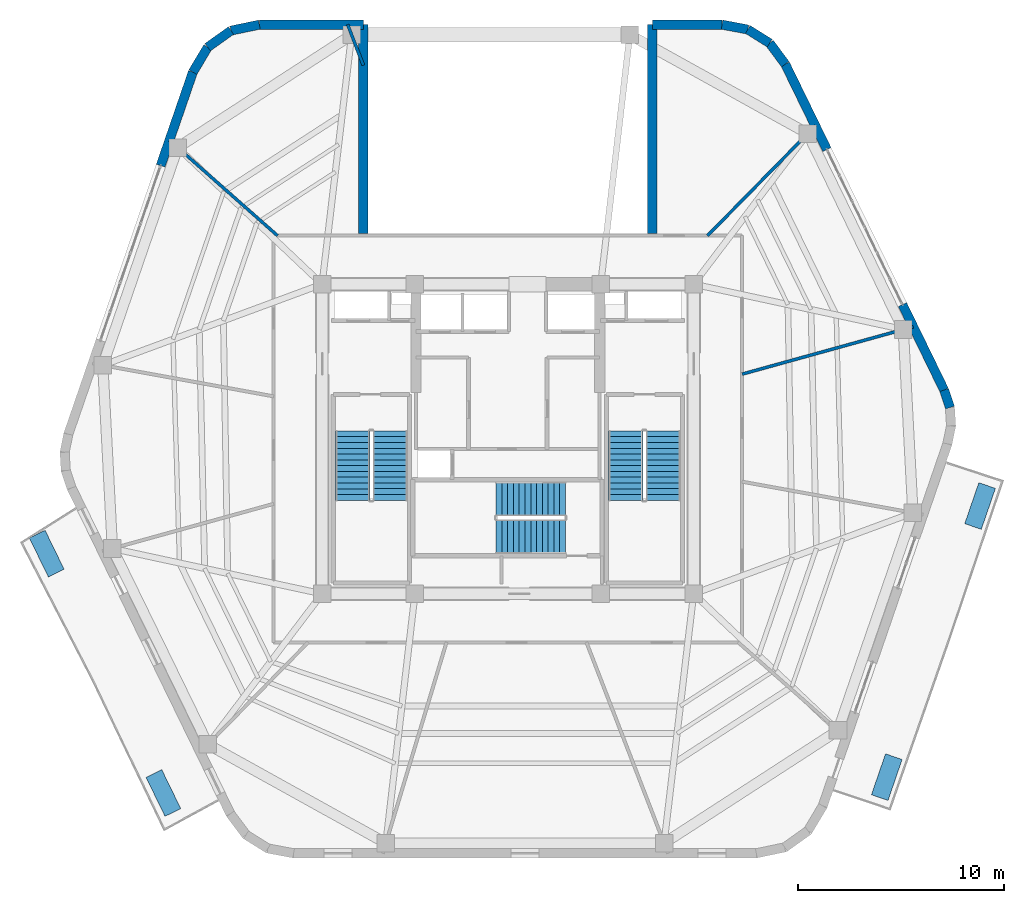
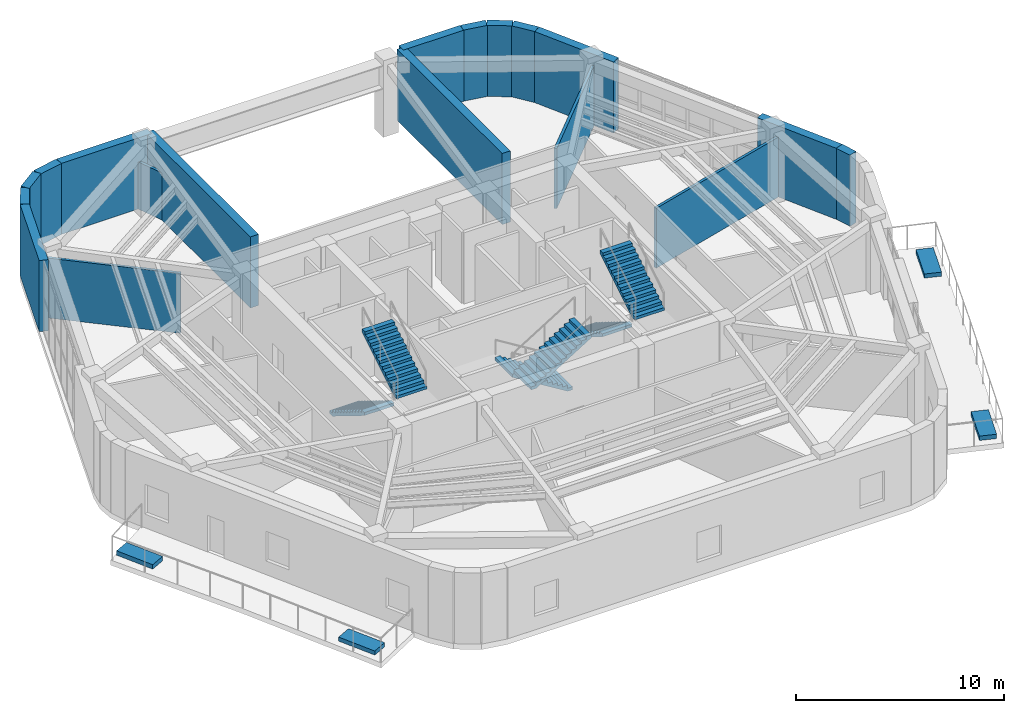
# One storey, part 13 of 15: 18 walls, 6 stair flights, 4 discrete accessories, 3 elements without a shape of their own.
"""IFC4 building model written with IfcOpenShell, lengths in metres."""

from ifc_helpers import new_model, si_unit, direction, frame, frame_2d, origin, origin_2d, place, context, subcontext, project, spatial, polyline, rectangle, outline, extrude, material, layer, layer_set, type_object, element, aggregate, save


model = new_model("IFC4")

# Units and contexts
model_context = context("Model", 3, precision=1e-05, world=origin(), true_north=direction((0.0, 1.0)))
body_context = subcontext(model_context, "Body", "Model", "MODEL_VIEW")
ifc_project = project(units=[si_unit("LENGTHUNIT", "METRE"), si_unit("AREAUNIT", "SQUARE_METRE"), si_unit("VOLUMEUNIT", "CUBIC_METRE"), si_unit("PLANEANGLEUNIT", "RADIAN"), si_unit("MASSUNIT", "GRAM", prefix="KILO")], contexts=[model_context])

# Site, building, storey
site_placement = place(None, origin())
site = spatial("IfcSite", under=ifc_project, at=site_placement, CompositionType="ELEMENT")
building_placement = place(site_placement, origin())
building = spatial("IfcBuilding", under=site, at=building_placement, Name="Kilnhurst Terrace Hotel", CompositionType="ELEMENT")
storey_placement = place(building_placement, frame((0.0, 0.0, 293.10009765625)))
storey = spatial("IfcBuildingStorey", under=building, at=storey_placement, Name="L73", CompositionType="ELEMENT", Elevation=293.10009765625)

# Walls
ifc_material_1 = material(Name="Precast concrete C40/50", Category="concrete")
ifc_layer_1 = layer(ifc_material_1, 0.449951171875, Name="Precast concrete C40/50")
ifc_layer_set_1 = layer_set([ifc_layer_1], Name="Precast concrete C40/50")
wall_type_1 = type_object("IfcWallType", Name="WL-BRK-450", PredefinedType="SOLIDWALL", material=ifc_layer_set_1)
wall_1_placement = place(storey_placement, frame((21.422119140625, 1.52197265625, 0.0), z_axis=(0.0, 0.0, 1.0), x_axis=(-0.316964162323, 0.94843751497, 0.0)))
element("IfcWall", 1, at=wall_1_placement, inside=storey, type_object=wall_type_1, Name="L73 Rounded Corner Brick Wall C3.3", PredefinedType="SOLIDWALL", context=body_context, shape_type="SweptSolid", body=[
    extrude(rectangle(XDim=0.89501953125, YDim=0.449951171875, at=frame_2d((0.447509765625, 0.0))), origin(), (0.0, 0.0, 1.0), 4.179931640625),
])
wall_2_placement = place(storey_placement, frame((13.44287109375, 18.159912109375, 0.0), z_axis=(0.0, 0.0, 1.0), x_axis=(-0.597042425808, 0.802209661987, 0.0)))
element("IfcWall", 2, at=wall_2_placement, inside=storey, type_object=wall_type_1, Name="L73 Rounded Corner Brick Wall C4.1", PredefinedType="SOLIDWALL", context=body_context, shape_type="SweptSolid", body=[
    extrude(rectangle(XDim=1.269775390625, YDim=0.449951171875, at=frame_2d((0.634765625, 0.0))), origin(), (0.0, 0.0, 1.0), 4.179931640625),
])
wall_3_placement = place(storey_placement, frame((12.684814453125, 19.178466796875, 0.0), z_axis=(0.0, 0.0, 1.0), x_axis=(-0.848031272749, 0.529946186362, 0.0)))
element("IfcWall", 3, at=wall_3_placement, inside=storey, type_object=wall_type_1, Name="L73 Rounded Corner Brick Wall C4.2", PredefinedType="SOLIDWALL", context=body_context, shape_type="SweptSolid", body=[
    extrude(rectangle(XDim=1.248046875, YDim=0.449951171875, at=frame_2d((0.6240234375, 0.0))), origin(), (0.0, 0.0, 1.0), 4.179931640625),
])
wall_4_placement = place(storey_placement, frame((11.62646484375, 19.83984375, 0.0), z_axis=(0.0, 0.0, 1.0), x_axis=(-0.982701956681, 0.185194126083, 0.0)))
element("IfcWall", 4, at=wall_4_placement, inside=storey, type_object=wall_type_1, Name="L73 Rounded Corner Brick Wall C4.3", PredefinedType="SOLIDWALL", context=body_context, shape_type="SweptSolid", body=[
    extrude(rectangle(XDim=1.26953125, YDim=0.449951171875, at=frame_2d((0.634765625, 0.0))), origin(), (0.0, 0.0, 1.0), 4.179931640625),
])
wall_5_placement = place(storey_placement, frame((-12.038330078125, 20.074951171875, 0.0), z_axis=(0.0, 0.0, 1.0), x_axis=(-0.978750122553, -0.205056571711, 0.0)))
element("IfcWall", 5, at=wall_5_placement, inside=storey, type_object=wall_type_1, Name="L73 Rounded Corner Brick Wall C5.1", PredefinedType="SOLIDWALL", context=body_context, shape_type="SweptSolid", body=[
    extrude(rectangle(XDim=1.406005859375, YDim=0.449951171875, at=frame_2d((0.703125, 0.0))), origin(), (0.0, 0.0, 1.0), 4.179931640625),
])
wall_6_placement = place(storey_placement, frame((-13.41455078125, 19.78662109375, 0.0), z_axis=(0.0, 0.0, 1.0), x_axis=(-0.814055493997, -0.580787097561, 0.0)))
element("IfcWall", 6, at=wall_6_placement, inside=storey, type_object=wall_type_1, Name="L73 Rounded Corner Brick Wall C5.2", PredefinedType="SOLIDWALL", context=body_context, shape_type="SweptSolid", body=[
    extrude(rectangle(XDim=1.382568359375, YDim=0.449951171875, at=frame_2d((0.69140625, 0.0))), origin(), (0.0, 0.0, 1.0), 4.179931640625),
])
wall_7_placement = place(storey_placement, frame((-14.5400390625, 18.983642578125, 0.0), z_axis=(0.0, 0.0, 1.0), x_axis=(-0.512374906623, -0.858761873317, 0.0)))
element("IfcWall", 7, at=wall_7_placement, inside=storey, type_object=wall_type_1, Name="L73 Rounded Corner Brick Wall C5.3", PredefinedType="SOLIDWALL", context=body_context, shape_type="SweptSolid", body=[
    extrude(rectangle(XDim=1.406005859375, YDim=0.449951171875, at=frame_2d((0.703125, 0.0))), origin(), (0.0, 0.0, 1.0), 4.179931640625),
])
wall_8_placement = place(storey_placement, frame((21.138427734375, 2.370849609375, 0.0), z_axis=(0.0, 0.0, 1.0), x_axis=(-0.438135313339, 0.898909031663, 0.0)))
element("IfcWall", 8, at=wall_8_placement, inside=storey, type_object=wall_type_1, Name="L73 Face 3 Brick Pier 1", PredefinedType="SOLIDWALL", context=body_context, shape_type="SweptSolid", body=[
    extrude(rectangle(XDim=4.60498046875, YDim=0.449951171875, at=frame_2d((2.302490234375, 0.0))), origin(), (0.0, 0.0, 1.0), 4.179931640625),
])
wall_9_placement = place(storey_placement, frame((15.45751953125, 14.026123046875, 0.0), z_axis=(0.0, 0.0, 1.0), x_axis=(-0.438101439155, 0.898925541416, 0.0)))
element("IfcWall", 9, at=wall_9_placement, inside=storey, type_object=wall_type_1, Name="L73 Face 3 End Brick Pier", PredefinedType="SOLIDWALL", context=body_context, shape_type="SweptSolid", body=[
    extrude(rectangle(XDim=4.5986328125, YDim=0.449951171875, at=frame_2d((2.29931640625, 0.0))), origin(), (0.0, 0.0, 1.0), 4.179931640625),
])
wall_10_placement = place(storey_placement, frame((10.37890625, 20.074951171875, 0.0), z_axis=(0.0, 0.0, 1.0), x_axis=(-1.0, 0.0, 0.0)))
element("IfcWall", 10, at=wall_10_placement, inside=storey, type_object=wall_type_1, Name="L73 North Portal East Brick Pier", PredefinedType="SOLIDWALL", context=body_context, shape_type="SweptSolid", body=[
    extrude(rectangle(XDim=3.37890625, YDim=0.449951171875, at=frame_2d((1.689453125, 0.0))), origin(), (0.0, 0.0, 1.0), 4.179931640625),
])
wall_11_placement = place(storey_placement, frame((-7.0, 20.074951171875, 0.0), z_axis=(0.0, 0.0, 1.0), x_axis=(-1.0, 0.0, 0.0)))
element("IfcWall", 11, at=wall_11_placement, inside=storey, type_object=wall_type_1, Name="L73 North Portal West Brick Pier", PredefinedType="SOLIDWALL", context=body_context, shape_type="SweptSolid", body=[
    extrude(rectangle(XDim=5.038330078125, YDim=0.449951171875, at=frame_2d((2.51904296875, 0.0))), origin(), (0.0, 0.0, 1.0), 4.179931640625),
])
for number, where, z_axis, x_axis, name in (
    (12, (-7.0, 9.949951171875, 0.0), (0.0, 0.0, 1.0), (0.0, 1.0, 0.0), "L73 Wind Portal West Brick Cheek Wall"),
    (13, (7.0, 9.949951171875, 0.0), (0.0, 0.0, 1.0), (0.0, 1.0, 0.0), "L73 Wind Portal East Brick Cheek Wall"),
):
    element("IfcWall", number, at=place(storey_placement, frame(where, z_axis=z_axis, x_axis=x_axis)), inside=storey, type_object=wall_type_1, Name=name, PredefinedType="SOLIDWALL", context=body_context, shape_type="SweptSolid", body=[
        extrude(rectangle(XDim=10.125, YDim=0.449951171875, at=frame_2d((5.0625, 0.0))), origin(), (0.0, 0.0, 1.0), 4.179931640625),
    ])
wall_12_placement = place(storey_placement, frame((-15.260498046875, 17.776123046875, 0.0), z_axis=(0.0, 0.0, 1.0), x_axis=(-0.325408461582, -0.945573547182, 0.0)))
element("IfcWall", 14, at=wall_12_placement, inside=storey, type_object=wall_type_1, Name="L73 Face 5 Brick Pier 1", PredefinedType="SOLIDWALL", context=body_context, shape_type="SweptSolid", body=[
    extrude(rectangle(XDim=4.794921875, YDim=0.449951171875, at=frame_2d((2.3974609375, 0.0))), origin(), (0.0, 0.0, 1.0), 4.179931640625),
])
ifc_material_2 = material(Name="150 mm Acoustic Gypsum Hospitality Partition")
ifc_layer_2 = layer(ifc_material_2, 0.14990234375, Name="150 mm Acoustic Gypsum Hospitality Partition")
ifc_layer_set_2 = layer_set([ifc_layer_2], Name="150 mm Acoustic Gypsum Hospitality Partition")
wall_type_2 = type_object("IfcWallType", Name="WL-PART-150", PredefinedType="PARTITIONING", material=ifc_layer_set_2)
wall_13_placement = place(storey_placement, frame((11.35009765625, 3.142822265625, 0.0), z_axis=(0.0, 0.0, 1.0), x_axis=(0.963731818141, 0.266872596386, 0.0)))
element("IfcWall", 15, at=wall_13_placement, inside=storey, type_object=wall_type_2, Name="L73 Interior Wall WL-L73-SCOL-01-1", PredefinedType="PARTITIONING", context=body_context, shape_type="SweptSolid", body=[
    extrude(rectangle(XDim=8.604736328125, YDim=0.14990234375, at=frame_2d((4.30224609375, 0.0))), origin(), (0.0, 0.0, 1.0), 3.52001953125),
])
wall_14_placement = place(storey_placement, frame((9.67236328125, 9.85009765625, 0.0), z_axis=(0.0, 0.0, 1.0), x_axis=(0.700629771301, 0.713524998558, 0.0)))
element("IfcWall", 16, at=wall_14_placement, inside=storey, type_object=wall_type_2, Name="L73 Interior Wall WL-L73-SCOL-02-1", PredefinedType="PARTITIONING", context=body_context, shape_type="SweptSolid", body=[
    extrude(rectangle(XDim=7.45947265625, YDim=0.14990234375, at=frame_2d((3.729736328125, 0.0))), origin(), (0.0, 0.0, 1.0), 3.52001953125),
])
wall_15_placement = place(storey_placement, frame((-7.0, 18.108154296875, 0.0), z_axis=(0.0, 0.0, 1.0), x_axis=(-0.360646535801, 0.932702565781, 0.0)))
element("IfcWall", 17, at=wall_15_placement, inside=storey, type_object=wall_type_2, Name="L73 Interior Wall WL-L73-SCOL-04-1", PredefinedType="PARTITIONING", context=body_context, shape_type="SweptSolid", body=[
    extrude(rectangle(XDim=2.108642578125, YDim=0.14990234375, at=frame_2d((1.05419921875, 0.0))), origin(), (0.0, 0.0, 1.0), 2.77001953125),
])
wall_16_placement = place(storey_placement, frame((-11.1572265625, 9.85009765625, 0.0), z_axis=(0.0, 0.0, 1.0), x_axis=(-0.74966962095, 0.661812253909, 0.0)))
element("IfcWall", 18, at=wall_16_placement, inside=storey, type_object=wall_type_2, Name="L73 Interior Wall WL-L73-SCOL-05-1", PredefinedType="PARTITIONING", context=body_context, shape_type="SweptSolid", body=[
    extrude(rectangle(XDim=6.98876953125, YDim=0.14990234375, at=frame_2d((3.494384765625, 0.0))), origin(), (0.0, 0.0, 1.0), 3.52001953125),
])

# Stair, stair flights
ifc_material_3 = material(Name="Concrete C50/60", Category="concrete")
stair_type = type_object("IfcStairType", Name="STR-CORE-1660", PredefinedType="HALF_TURN_STAIR", material=ifc_material_3)
stair_1_placement = place(storey_placement, origin())
stair_1 = element("IfcStair", 19, at=stair_1_placement, inside=storey, type_object=stair_type, Name="L73 ST-1", PredefinedType="HALF_TURN_STAIR")
stair_flight_type = type_object("IfcStairFlightType", Name="FLT-RC-1660", PredefinedType="STRAIGHT", material=ifc_material_3)
stair_flight_1_placement = place(storey_placement, frame((-7.52001953125, 0.389892578125, 0.0), z_axis=(0.0, 0.0, 1.0), x_axis=(0.0, -1.0, 0.0)))
stair_flight_1 = element("IfcStairFlight", 20, at=stair_flight_1_placement, type_object=stair_flight_type, Name="ST-1 flight 1", NumberOfRisers=13, NumberOfTreads=12, PredefinedType="STRAIGHT", RiserHeight=0.173076923, TreadLength=0.28, context=body_context, shape_type="SweptSolid", body=[
    extrude(outline(polyline([(0.0, 0.0), (0.0, 0.173095703125), (0.280029296875, 0.173095703125), (0.280029296875, 0.34619140625), (0.56005859375, 0.34619140625), (0.56005859375, 0.519287109375), (0.840087890625, 0.519287109375), (0.840087890625, 0.6923828125), (1.1201171875, 0.6923828125), (1.1201171875, 0.865478515625), (1.39990234375, 0.865478515625), (1.39990234375, 1.03857421875), (1.679931640625, 1.03857421875), (1.679931640625, 1.21142578125), (1.9599609375, 1.21142578125), (1.9599609375, 1.384521484375), (2.239990234375, 1.384521484375), (2.239990234375, 1.5576171875), (2.52001953125, 1.5576171875), (2.52001953125, 1.730712890625), (2.800048828125, 1.730712890625), (2.800048828125, 1.90380859375), (3.080078125, 1.90380859375), (3.080078125, 2.076904296875), (3.360107421875, 2.076904296875), (3.360107421875, 2.25), (3.360107421875, 1.900634765625), (0.28515625, 0.0), (0.0, 0.0)])), frame((0.0, 0.830078125, 0.0), z_axis=(0.0, -1.0, 0.0), x_axis=(1.0, 0.0, 0.0)), (0.0, 0.0, 1.0), 1.659912109375),
])
stair_flight_2_placement = place(storey_placement, frame((-5.7099609375, -2.969970703125, 2.25), z_axis=(0.0, 0.0, 1.0), x_axis=(0.0, 1.0, 0.0)))
stair_flight_2 = element("IfcStairFlight", 21, at=stair_flight_2_placement, type_object=stair_flight_type, Name="ST-1 flight 2", NumberOfRisers=13, NumberOfTreads=12, PredefinedType="STRAIGHT", RiserHeight=0.173076923, TreadLength=0.28, context=body_context, shape_type="SweptSolid", body=[
    extrude(outline(polyline([(0.0, 0.0), (0.0, 0.173095703125), (0.280029296875, 0.173095703125), (0.280029296875, 0.34619140625), (0.56005859375, 0.34619140625), (0.56005859375, 0.519287109375), (0.840087890625, 0.519287109375), (0.840087890625, 0.6923828125), (1.1201171875, 0.6923828125), (1.1201171875, 0.865478515625), (1.39990234375, 0.865478515625), (1.39990234375, 1.03857421875), (1.679931640625, 1.03857421875), (1.679931640625, 1.21142578125), (1.9599609375, 1.21142578125), (1.9599609375, 1.384521484375), (2.239990234375, 1.384521484375), (2.239990234375, 1.5576171875), (2.52001953125, 1.5576171875), (2.52001953125, 1.730712890625), (2.800048828125, 1.730712890625), (2.800048828125, 1.90380859375), (3.080078125, 1.90380859375), (3.080078125, 2.076904296875), (3.360107421875, 2.076904296875), (3.360107421875, 2.25), (3.360107421875, 1.900634765625), (0.28515625, 0.0), (0.0, 0.0)])), frame((0.0, 0.830078125, 0.0), z_axis=(0.0, -1.0, 0.0), x_axis=(1.0, 0.0, 0.0)), (0.0, 0.0, 1.0), 1.659912109375),
])
aggregate(stair_1, [stair_flight_1, stair_flight_2])

stair_2_placement = place(storey_placement, origin())
stair_2 = element("IfcStair", 22, at=stair_2_placement, inside=storey, type_object=stair_type, Name="L73 ST-2", PredefinedType="HALF_TURN_STAIR")
stair_flight_3_placement = place(storey_placement, frame((5.7099609375, 0.389892578125, 0.0), z_axis=(0.0, 0.0, 1.0), x_axis=(0.0, -1.0, 0.0)))
stair_flight_3 = element("IfcStairFlight", 23, at=stair_flight_3_placement, type_object=stair_flight_type, Name="ST-2 flight 1", NumberOfRisers=13, NumberOfTreads=12, PredefinedType="STRAIGHT", RiserHeight=0.173076923, TreadLength=0.28, context=body_context, shape_type="SweptSolid", body=[
    extrude(outline(polyline([(0.0, 0.0), (0.0, 0.173095703125), (0.280029296875, 0.173095703125), (0.280029296875, 0.34619140625), (0.56005859375, 0.34619140625), (0.56005859375, 0.519287109375), (0.840087890625, 0.519287109375), (0.840087890625, 0.6923828125), (1.1201171875, 0.6923828125), (1.1201171875, 0.865478515625), (1.39990234375, 0.865478515625), (1.39990234375, 1.03857421875), (1.679931640625, 1.03857421875), (1.679931640625, 1.21142578125), (1.9599609375, 1.21142578125), (1.9599609375, 1.384521484375), (2.239990234375, 1.384521484375), (2.239990234375, 1.5576171875), (2.52001953125, 1.5576171875), (2.52001953125, 1.730712890625), (2.800048828125, 1.730712890625), (2.800048828125, 1.90380859375), (3.080078125, 1.90380859375), (3.080078125, 2.076904296875), (3.360107421875, 2.076904296875), (3.360107421875, 2.25), (3.360107421875, 1.900634765625), (0.28515625, 0.0), (0.0, 0.0)])), frame((0.0, 0.830078125, 0.0), z_axis=(0.0, -1.0, 0.0), x_axis=(1.0, 0.0, 0.0)), (0.0, 0.0, 1.0), 1.659912109375),
])
stair_flight_4_placement = place(storey_placement, frame((7.52001953125, -2.969970703125, 2.25), z_axis=(0.0, 0.0, 1.0), x_axis=(0.0, 1.0, 0.0)))
stair_flight_4 = element("IfcStairFlight", 24, at=stair_flight_4_placement, type_object=stair_flight_type, Name="ST-2 flight 2", NumberOfRisers=13, NumberOfTreads=12, PredefinedType="STRAIGHT", RiserHeight=0.173076923, TreadLength=0.28, context=body_context, shape_type="SweptSolid", body=[
    extrude(outline(polyline([(0.0, 0.0), (0.0, 0.173095703125), (0.280029296875, 0.173095703125), (0.280029296875, 0.34619140625), (0.56005859375, 0.34619140625), (0.56005859375, 0.519287109375), (0.840087890625, 0.519287109375), (0.840087890625, 0.6923828125), (1.1201171875, 0.6923828125), (1.1201171875, 0.865478515625), (1.39990234375, 0.865478515625), (1.39990234375, 1.03857421875), (1.679931640625, 1.03857421875), (1.679931640625, 1.21142578125), (1.9599609375, 1.21142578125), (1.9599609375, 1.384521484375), (2.239990234375, 1.384521484375), (2.239990234375, 1.5576171875), (2.52001953125, 1.5576171875), (2.52001953125, 1.730712890625), (2.800048828125, 1.730712890625), (2.800048828125, 1.90380859375), (3.080078125, 1.90380859375), (3.080078125, 2.076904296875), (3.360107421875, 2.076904296875), (3.360107421875, 2.25), (3.360107421875, 1.900634765625), (0.28515625, 0.0), (0.0, 0.0)])), frame((0.0, 0.830078125, 0.0), z_axis=(0.0, -1.0, 0.0), x_axis=(1.0, 0.0, 0.0)), (0.0, 0.0, 1.0), 1.659912109375),
])
aggregate(stair_2, [stair_flight_3, stair_flight_4])

stair_3_placement = place(storey_placement, origin())
stair_3 = element("IfcStair", 25, at=stair_3_placement, inside=storey, type_object=stair_type, Name="L73 ST-3", PredefinedType="HALF_TURN_STAIR")
stair_flight_5_placement = place(storey_placement, frame((2.7900390625, -2.909912109375, 0.0), z_axis=(0.0, 0.0, 1.0), x_axis=(-1.0, 0.0, 0.0)))
stair_flight_5 = element("IfcStairFlight", 26, at=stair_flight_5_placement, type_object=stair_flight_type, Name="ST-3 flight 1", NumberOfRisers=13, NumberOfTreads=12, PredefinedType="STRAIGHT", RiserHeight=0.173076923, TreadLength=0.28, context=body_context, shape_type="SweptSolid", body=[
    extrude(outline(polyline([(0.0, 0.0), (0.0, 0.173095703125), (0.280029296875, 0.173095703125), (0.280029296875, 0.34619140625), (0.56005859375, 0.34619140625), (0.56005859375, 0.519287109375), (0.840087890625, 0.519287109375), (0.840087890625, 0.6923828125), (1.1201171875, 0.6923828125), (1.1201171875, 0.865478515625), (1.39990234375, 0.865478515625), (1.39990234375, 1.03857421875), (1.679931640625, 1.03857421875), (1.679931640625, 1.21142578125), (1.9599609375, 1.21142578125), (1.9599609375, 1.384521484375), (2.239990234375, 1.384521484375), (2.239990234375, 1.5576171875), (2.52001953125, 1.5576171875), (2.52001953125, 1.730712890625), (2.800048828125, 1.730712890625), (2.800048828125, 1.90380859375), (3.080078125, 1.90380859375), (3.080078125, 2.076904296875), (3.360107421875, 2.076904296875), (3.360107421875, 2.25), (3.360107421875, 1.900634765625), (0.28515625, 0.0), (0.0, 0.0)])), frame((0.0, 0.830078125, 0.0), z_axis=(0.0, -1.0, 0.0), x_axis=(1.0, 0.0, 0.0)), (0.0, 0.0, 1.0), 1.659912109375),
])
stair_flight_6_placement = place(storey_placement, frame((-0.570068359375, -4.719970703125, 2.25), z_axis=(0.0, 0.0, 1.0), x_axis=(1.0, 0.0, 0.0)))
stair_flight_6 = element("IfcStairFlight", 27, at=stair_flight_6_placement, type_object=stair_flight_type, Name="ST-3 flight 2", NumberOfRisers=13, NumberOfTreads=12, PredefinedType="STRAIGHT", RiserHeight=0.173076923, TreadLength=0.28, context=body_context, shape_type="SweptSolid", body=[
    extrude(outline(polyline([(0.0, 0.0), (0.0, 0.173095703125), (0.280029296875, 0.173095703125), (0.280029296875, 0.34619140625), (0.56005859375, 0.34619140625), (0.56005859375, 0.519287109375), (0.840087890625, 0.519287109375), (0.840087890625, 0.6923828125), (1.1201171875, 0.6923828125), (1.1201171875, 0.865478515625), (1.39990234375, 0.865478515625), (1.39990234375, 1.03857421875), (1.679931640625, 1.03857421875), (1.679931640625, 1.21142578125), (1.9599609375, 1.21142578125), (1.9599609375, 1.384521484375), (2.239990234375, 1.384521484375), (2.239990234375, 1.5576171875), (2.52001953125, 1.5576171875), (2.52001953125, 1.730712890625), (2.800048828125, 1.730712890625), (2.800048828125, 1.90380859375), (3.080078125, 1.90380859375), (3.080078125, 2.076904296875), (3.360107421875, 2.076904296875), (3.360107421875, 2.25), (3.360107421875, 1.900634765625), (0.28515625, 0.0), (0.0, 0.0)])), frame((0.0, 0.830078125, 0.0), z_axis=(0.0, -1.0, 0.0), x_axis=(1.0, 0.0, 0.0)), (0.0, 0.0, 1.0), 1.659912109375),
])
aggregate(stair_3, [stair_flight_5, stair_flight_6])

# Discrete accessories
ifc_material_4 = material(Name="Precast Concrete C40/50 Shrub Planter", Category="concrete")
discrete_accessory_type_1 = type_object("IfcDiscreteAccessoryType", Name="PLN-SHRUB-240", PredefinedType="USERDEFINED", material=ifc_material_4)
for number, where, z_axis, x_axis, name in (
    (28, (22.8779296875, -3.246826171875, 0.0), (0.0, 0.0, 1.0), (0.325403125376, 0.94557538356, 0.0), "L73 Structural Tree Planter Box PLANTER BAL-L1A.2"),
    (29, (-16.68798828125, -17.150634765625, 0.0), (0.0, 0.0, 1.0), (0.438135828038, -0.898908780795, 0.0), "L73 Structural Tree Planter Box PLANTER BAL-L2A.2"),
):
    element("IfcDiscreteAccessory", number, at=place(storey_placement, frame(where, z_axis=z_axis, x_axis=x_axis)), inside=storey, type_object=discrete_accessory_type_1, Name=name, ObjectType="PLANTER", PredefinedType="USERDEFINED", context=body_context, shape_type="SweptSolid", body=[
        extrude(rectangle(XDim=2.10009765625, YDim=0.85009765625, at=origin_2d()), origin(), (0.0, 0.0, 1.0), 0.239990234375),
    ])
ifc_material_5 = material(Name="Precast Concrete C40/50 Tree Planter", Category="concrete")
discrete_accessory_type_2 = type_object("IfcDiscreteAccessoryType", Name="PLN-TREE-260", PredefinedType="USERDEFINED", material=ifc_material_5)
for number, where, z_axis, x_axis, name in (
    (30, (18.35791015625, -16.381591796875, 0.0), (0.0, 0.0, 1.0), (0.325403125376, 0.94557538356, 0.0), "L73 Structural Tree Planter Box PLANTER BAL-L1A.1"),
    (31, (-22.340087890625, -5.55419921875, 0.0), (0.0, 0.0, 1.0), (0.438135828038, -0.898908780795, 0.0), "L73 Structural Tree Planter Box PLANTER BAL-L2A.1"),
):
    element("IfcDiscreteAccessory", number, at=place(storey_placement, frame(where, z_axis=z_axis, x_axis=x_axis)), inside=storey, type_object=discrete_accessory_type_2, Name=name, ObjectType="PLANTER", PredefinedType="USERDEFINED", context=body_context, shape_type="SweptSolid", body=[
        extrude(rectangle(XDim=2.10009765625, YDim=0.85009765625, at=origin_2d()), origin(), (0.0, 0.0, 1.0), 0.260009765625),
    ])

save(model, "model.ifc")
